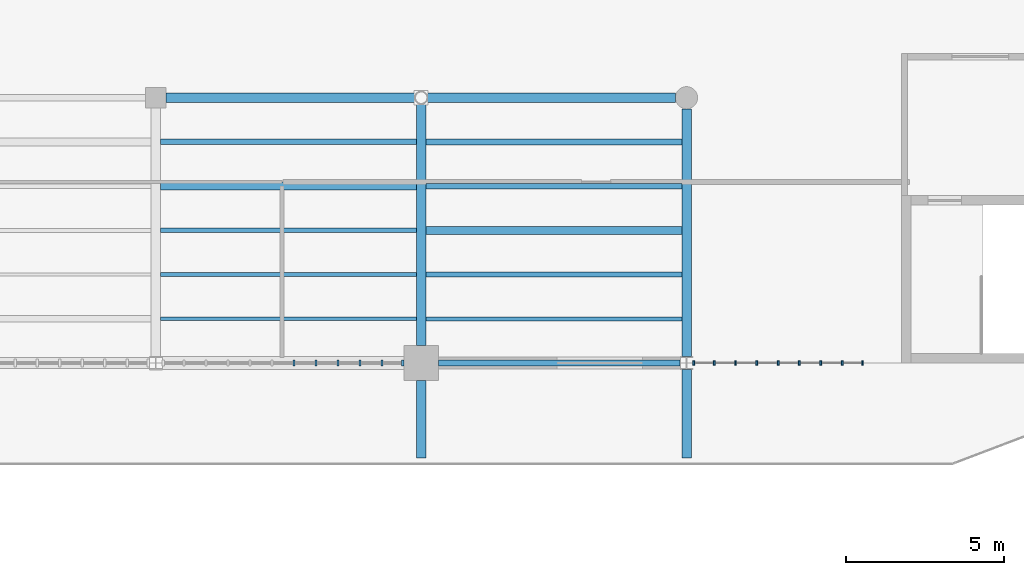
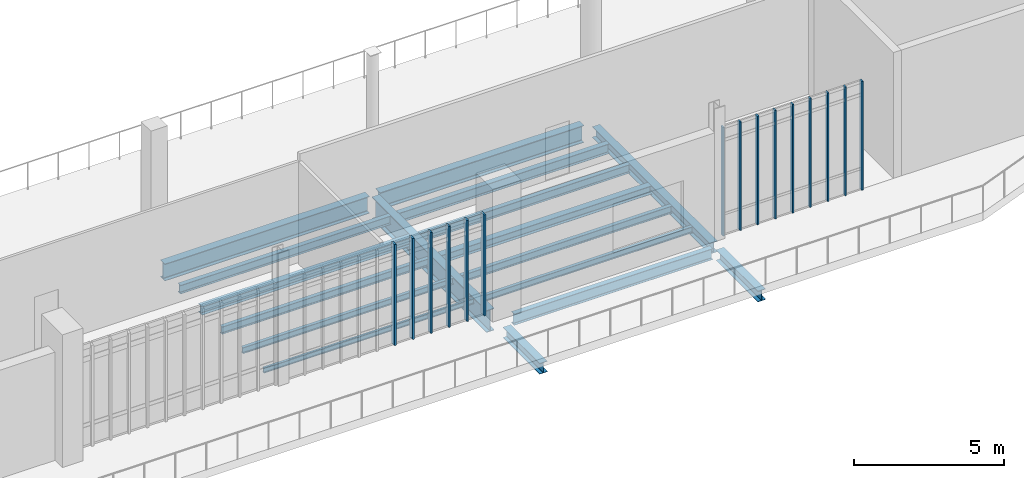
# One storey, part 13 of 135: 17 beams, 15 members, 2 elements without a shape of their own.
"""IFC4 building model written with IfcOpenShell, lengths in metres."""

from ifc_helpers import new_model, si_unit, direction, frame, origin, origin_2d, place, context, subcontext, project, spatial, rectangle, i_section, extrude, material, material_profile, profile_set, type_object, element, aggregate, save


model = new_model("IFC4")

# Units and contexts
model_context = context("Model", 3, precision=1e-05, world=origin(), true_north=direction((0.0, 1.0)))
body_context = subcontext(model_context, "Body", "Model", "MODEL_VIEW")
ifc_project = project(units=[si_unit("LENGTHUNIT", "METRE"), si_unit("AREAUNIT", "SQUARE_METRE"), si_unit("VOLUMEUNIT", "CUBIC_METRE"), si_unit("PLANEANGLEUNIT", "RADIAN"), si_unit("MASSUNIT", "GRAM", prefix="KILO")], contexts=[model_context])

# Site, building, storey
site_placement = place(None, origin())
site = spatial("IfcSite", under=ifc_project, at=site_placement, CompositionType="ELEMENT")
building_placement = place(site_placement, origin())
building = spatial("IfcBuilding", under=site, at=building_placement, Name="Larkvane Passage Sports Hall", CompositionType="ELEMENT")
storey_placement = place(building_placement, frame((0.0, 0.0, 16.800048828125)))
storey = spatial("IfcBuildingStorey", under=building, at=storey_placement, Name="L03", CompositionType="ELEMENT", Elevation=16.800048828125)

# Beams
ifc_material_1 = material(Name="Steel S355JR", Category="steel")
ifc_material_profile_1 = material_profile(ifc_material_1, i_section(OverallWidth=0.300048828125, OverallDepth=0.43994140625, WebThickness=0.010986328125, FlangeThickness=0.01806640625, FilletRadius=0.01806640625, at=origin_2d()), Name="H-440x300x11x18")
ifc_profile_set_1 = profile_set([ifc_material_profile_1], Name="Steel S355JR")
beam_type_1 = type_object("IfcBeamType", Name="BM-STL-H440", PredefinedType="BEAM", material=ifc_profile_set_1)
beam_1_placement = place(storey_placement, frame((76.800048828125, 23.007080078125, -0.56005859375), z_axis=(0.0, 1.0, 0.0), x_axis=(-1.0, 0.0, 0.0)))
element("IfcBeam", 1, at=beam_1_placement, inside=storey, type_object=beam_type_1, Name="Girder BM5-Y-L03-11-1030", PredefinedType="BEAM", context=body_context, shape_type="SweptSolid", body=[
    extrude(i_section(OverallWidth=0.300048828125, OverallDepth=0.43994140625, WebThickness=0.010986328125, FlangeThickness=0.01806640625, FilletRadius=0.01806640625, at=origin_2d()), origin(), (0.0, 0.0, 1.0), 7.843017578125),
])
beam_2_placement = place(storey_placement, frame((68.39990234375, 19.800048828125, -0.56005859375), z_axis=(0.0, 1.0, 0.0), x_axis=(-1.0, 0.0, 0.0)))
element("IfcBeam", 2, at=beam_2_placement, inside=storey, type_object=beam_type_1, Name="South upper court terrace outlook beam 10/D", PredefinedType="BEAM", context=body_context, shape_type="SweptSolid", body=[
    extrude(i_section(OverallWidth=0.300048828125, OverallDepth=0.43994140625, WebThickness=0.010986328125, FlangeThickness=0.01806640625, FilletRadius=0.01806640625, at=origin_2d()), origin(), (0.0, 0.0, 1.0), 2.449951171875),
])
beam_3_placement = place(storey_placement, frame((76.800048828125, 19.800048828125, -0.56005859375), z_axis=(0.0, 1.0, 0.0), x_axis=(-1.0, 0.0, 0.0)))
element("IfcBeam", 3, at=beam_3_placement, inside=storey, type_object=beam_type_1, Name="South upper court terrace outlook beam 11/D", PredefinedType="BEAM", context=body_context, shape_type="SweptSolid", body=[
    extrude(i_section(OverallWidth=0.300048828125, OverallDepth=0.43994140625, WebThickness=0.010986328125, FlangeThickness=0.01806640625, FilletRadius=0.01806640625, at=origin_2d()), origin(), (0.0, 0.0, 1.0), 2.79296875),
])
ifc_material_2 = material(Name="Steel S460N", Category="steel")
ifc_material_profile_2 = material_profile(ifc_material_2, i_section(OverallWidth=0.300048828125, OverallDepth=0.69189453125, WebThickness=0.012939453125, FlangeThickness=0.02001953125, FilletRadius=0.02197265625, at=origin_2d()), Name="H-692x300x13x20")
ifc_profile_set_2 = profile_set([ifc_material_profile_2], Name="Steel S460N")
beam_type_2 = type_object("IfcBeamType", Name="BM-STL-H692", PredefinedType="BEAM", material=ifc_profile_set_2)
beam_4_placement = place(storey_placement, frame((60.324951171875, 31.199951171875, -0.68603515625), z_axis=(1.0, 0.0, 0.0), x_axis=(0.0, 1.0, 0.0)))
element("IfcBeam", 4, at=beam_4_placement, inside=storey, type_object=beam_type_2, Name="Girder BM5-X-L03-E-0983", PredefinedType="BEAM", context=body_context, shape_type="SweptSolid", body=[
    extrude(i_section(OverallWidth=0.300048828125, OverallDepth=0.69189453125, WebThickness=0.012939453125, FlangeThickness=0.02001953125, FilletRadius=0.02197265625, at=origin_2d()), origin(), (0.0, 0.0, 1.0), 7.871826171875),
])
ifc_material_profile_3 = material_profile(ifc_material_2, i_section(OverallWidth=0.300048828125, OverallDepth=0.699951171875, WebThickness=0.012939453125, FlangeThickness=0.02392578125, FilletRadius=0.02197265625, at=origin_2d()), Name="H-700x300x13x24")
ifc_profile_set_3 = profile_set([ifc_material_profile_3], Name="Steel S460N")
beam_type_3 = type_object("IfcBeamType", Name="BM-STL-H700", PredefinedType="BEAM", material=ifc_profile_set_3)
beam_5_placement = place(storey_placement, frame((68.603271484375, 31.199951171875, -0.68994140625), z_axis=(1.0, 0.0, 0.0), x_axis=(0.0, 1.0, 0.0)))
element("IfcBeam", 5, at=beam_5_placement, inside=storey, type_object=beam_type_3, Name="Girder BM5-X-L03-E-0984", PredefinedType="BEAM", context=body_context, shape_type="SweptSolid", body=[
    extrude(i_section(OverallWidth=0.300048828125, OverallDepth=0.699951171875, WebThickness=0.012939453125, FlangeThickness=0.02392578125, FilletRadius=0.02197265625, at=origin_2d()), origin(), (0.0, 0.0, 1.0), 7.8466796875),
])
ifc_material_profile_4 = material_profile(ifc_material_2, i_section(OverallWidth=0.300048828125, OverallDepth=0.89990234375, WebThickness=0.01611328125, FlangeThickness=0.028076171875, FilletRadius=0.02197265625, at=origin_2d()), Name="H-900x300x16x28")
ifc_profile_set_4 = profile_set([ifc_material_profile_4], Name="Steel S460N")
beam_type_4 = type_object("IfcBeamType", Name="BM-STL-H900", PredefinedType="BEAM", material=ifc_profile_set_4)
beam_6_placement = place(storey_placement, frame((68.39990234375, 23.35009765625, -0.7900390625), z_axis=(0.0, 1.0, 0.0), x_axis=(-1.0, 0.0, 0.0)))
element("IfcBeam", 6, at=beam_6_placement, inside=storey, type_object=beam_type_4, Name="Girder BM5-Y-L03-10-1027", PredefinedType="BEAM", context=body_context, shape_type="SweptSolid", body=[
    extrude(i_section(OverallWidth=0.300048828125, OverallDepth=0.89990234375, WebThickness=0.01611328125, FlangeThickness=0.028076171875, FilletRadius=0.02197265625, at=origin_2d()), origin(), (0.0, 0.0, 1.0), 7.646728515625),
])

# Curtain wall, members
ifc_material_3 = material(Name="Thermally broken aluminium and low-E glazing", Category="aluminium")
curtain_wall_type_1 = type_object("IfcCurtainWallType", Name="CW-UNIT-COURT", PredefinedType="USERDEFINED", material=ifc_material_3)
curtain_wall_1_placement = place(storey_placement, origin())
curtain_wall_1 = element("IfcCurtainWall", 7, at=curtain_wall_1_placement, inside=storey, type_object=curtain_wall_type_1, Name="Curtain wall CW5-L03-124", ObjectType="UNITISED CURTAIN WALL", PredefinedType="USERDEFINED")
ifc_material_4 = material(Name="Anodised aluminium 6063-T6", Category="aluminium")
ifc_material_profile_5 = material_profile(ifc_material_4, rectangle(XDim=0.06005859375, YDim=0.14990234375, at=origin_2d()), Name="ALU-MUL-60x150")
ifc_profile_set_5 = profile_set([ifc_material_profile_5], Name="Anodised aluminium 6063-T6")
member_type_1 = type_object("IfcMemberType", Name="CW-MUL-60x150", PredefinedType="MULLION", material=ifc_profile_set_5)
member_1_placement = place(storey_placement, frame((82.3701171875, 22.800048828125, 0.0), z_axis=(0.0, 0.0, 1.0), x_axis=(-1.0, 0.0, 0.0)))
member_1 = element("IfcMember", 8, at=member_1_placement, type_object=member_type_1, Name="CW-01 mullion 1", PredefinedType="MULLION", context=body_context, shape_type="SweptSolid", body=[
    extrude(rectangle(XDim=0.06005859375, YDim=0.14990234375, at=origin_2d()), origin(), (0.0, 0.0, 1.0), 4.419921875),
])
member_2_placement = place(storey_placement, frame((81.724853515625, 22.800048828125, 0.0), z_axis=(0.0, 0.0, 1.0), x_axis=(-1.0, 0.0, 0.0)))
member_2 = element("IfcMember", 9, at=member_2_placement, type_object=member_type_1, Name="CW-01 mullion 2", PredefinedType="MULLION", context=body_context, shape_type="SweptSolid", body=[
    extrude(rectangle(XDim=0.06005859375, YDim=0.14990234375, at=origin_2d()), origin(), (0.0, 0.0, 1.0), 4.419921875),
])
member_3_placement = place(storey_placement, frame((81.049560546875, 22.800048828125, 0.0), z_axis=(0.0, 0.0, 1.0), x_axis=(-1.0, 0.0, 0.0)))
member_3 = element("IfcMember", 10, at=member_3_placement, type_object=member_type_1, Name="CW-01 mullion 3", PredefinedType="MULLION", context=body_context, shape_type="SweptSolid", body=[
    extrude(rectangle(XDim=0.06005859375, YDim=0.14990234375, at=origin_2d()), origin(), (0.0, 0.0, 1.0), 4.419921875),
])
member_4_placement = place(storey_placement, frame((80.37451171875, 22.800048828125, 0.0), z_axis=(0.0, 0.0, 1.0), x_axis=(-1.0, 0.0, 0.0)))
member_4 = element("IfcMember", 11, at=member_4_placement, type_object=member_type_1, Name="CW-01 mullion 4", PredefinedType="MULLION", context=body_context, shape_type="SweptSolid", body=[
    extrude(rectangle(XDim=0.06005859375, YDim=0.14990234375, at=origin_2d()), origin(), (0.0, 0.0, 1.0), 4.419921875),
])
member_5_placement = place(storey_placement, frame((79.69921875, 22.800048828125, 0.0), z_axis=(0.0, 0.0, 1.0), x_axis=(-1.0, 0.0, 0.0)))
member_5 = element("IfcMember", 12, at=member_5_placement, type_object=member_type_1, Name="CW-01 mullion 5", PredefinedType="MULLION", context=body_context, shape_type="SweptSolid", body=[
    extrude(rectangle(XDim=0.06005859375, YDim=0.14990234375, at=origin_2d()), origin(), (0.0, 0.0, 1.0), 4.419921875),
])
member_6_placement = place(storey_placement, frame((79.024169921875, 22.800048828125, 0.0), z_axis=(0.0, 0.0, 1.0), x_axis=(-1.0, 0.0, 0.0)))
member_6 = element("IfcMember", 13, at=member_6_placement, type_object=member_type_1, Name="CW-01 mullion 6", PredefinedType="MULLION", context=body_context, shape_type="SweptSolid", body=[
    extrude(rectangle(XDim=0.06005859375, YDim=0.14990234375, at=origin_2d()), origin(), (0.0, 0.0, 1.0), 4.419921875),
])
member_7_placement = place(storey_placement, frame((78.348876953125, 22.800048828125, 0.0), z_axis=(0.0, 0.0, 1.0), x_axis=(-1.0, 0.0, 0.0)))
member_7 = element("IfcMember", 14, at=member_7_placement, type_object=member_type_1, Name="CW-01 mullion 7", PredefinedType="MULLION", context=body_context, shape_type="SweptSolid", body=[
    extrude(rectangle(XDim=0.06005859375, YDim=0.14990234375, at=origin_2d()), origin(), (0.0, 0.0, 1.0), 4.419921875),
])
member_8_placement = place(storey_placement, frame((77.673583984375, 22.800048828125, 0.0), z_axis=(0.0, 0.0, 1.0), x_axis=(-1.0, 0.0, 0.0)))
member_8 = element("IfcMember", 15, at=member_8_placement, type_object=member_type_1, Name="CW-01 mullion 8", PredefinedType="MULLION", context=body_context, shape_type="SweptSolid", body=[
    extrude(rectangle(XDim=0.06005859375, YDim=0.14990234375, at=origin_2d()), origin(), (0.0, 0.0, 1.0), 4.419921875),
])
member_9_placement = place(storey_placement, frame((77.028564453125, 22.800048828125, 0.0), z_axis=(0.0, 0.0, 1.0), x_axis=(-1.0, 0.0, 0.0)))
member_9 = element("IfcMember", 16, at=member_9_placement, type_object=member_type_1, Name="CW-01 mullion 9", PredefinedType="MULLION", context=body_context, shape_type="SweptSolid", body=[
    extrude(rectangle(XDim=0.06005859375, YDim=0.14990234375, at=origin_2d()), origin(), (0.0, 0.0, 1.0), 4.419921875),
])
aggregate(curtain_wall_1, [member_1, member_2, member_3, member_4, member_5, member_6, member_7, member_8, member_9])

curtain_wall_type_2 = type_object("IfcCurtainWallType", Name="CW-UNIT-VEIL", PredefinedType="USERDEFINED", material=ifc_material_3)
curtain_wall_2_placement = place(storey_placement, origin())
curtain_wall_2 = element("IfcCurtainWall", 17, at=curtain_wall_2_placement, inside=storey, type_object=curtain_wall_type_2, Name="Curtain wall CW5-L03-125", ObjectType="UNITISED CURTAIN WALL", PredefinedType="USERDEFINED")
ifc_material_profile_6 = material_profile(ifc_material_4, rectangle(XDim=0.070068359375, YDim=0.199951171875, at=origin_2d()), Name="ALU-MUL-70x200")
ifc_profile_set_6 = profile_set([ifc_material_profile_6], Name="Anodised aluminium 6063-T6")
member_type_2 = type_object("IfcMemberType", Name="CW-MUL-70x200", PredefinedType="MULLION", material=ifc_profile_set_6)
member_10_placement = place(storey_placement, frame((67.819091796875, 22.800048828125, 0.0), z_axis=(0.0, 0.0, 1.0), x_axis=(-1.0, 0.0, 0.0)))
member_10 = element("IfcMember", 18, at=member_10_placement, type_object=member_type_2, Name="CW-02 mullion 1", PredefinedType="MULLION", context=body_context, shape_type="SweptSolid", body=[
    extrude(rectangle(XDim=0.070068359375, YDim=0.199951171875, at=origin_2d()), origin(), (0.0, 0.0, 1.0), 4.10791015625),
])
member_11_placement = place(storey_placement, frame((67.158203125, 22.800048828125, 0.0), z_axis=(0.0, 0.0, 1.0), x_axis=(-1.0, 0.0, 0.0)))
member_11 = element("IfcMember", 19, at=member_11_placement, type_object=member_type_2, Name="CW-02 mullion 2", PredefinedType="MULLION", context=body_context, shape_type="SweptSolid", body=[
    extrude(rectangle(XDim=0.070068359375, YDim=0.199951171875, at=origin_2d()), origin(), (0.0, 0.0, 1.0), 4.10791015625),
])
member_12_placement = place(storey_placement, frame((66.462158203125, 22.800048828125, 0.0), z_axis=(0.0, 0.0, 1.0), x_axis=(-1.0, 0.0, 0.0)))
member_12 = element("IfcMember", 20, at=member_12_placement, type_object=member_type_2, Name="CW-02 mullion 3", PredefinedType="MULLION", context=body_context, shape_type="SweptSolid", body=[
    extrude(rectangle(XDim=0.070068359375, YDim=0.199951171875, at=origin_2d()), origin(), (0.0, 0.0, 1.0), 4.10791015625),
])
member_13_placement = place(storey_placement, frame((65.766357421875, 22.800048828125, 0.0), z_axis=(0.0, 0.0, 1.0), x_axis=(-1.0, 0.0, 0.0)))
member_13 = element("IfcMember", 21, at=member_13_placement, type_object=member_type_2, Name="CW-02 mullion 4", PredefinedType="MULLION", context=body_context, shape_type="SweptSolid", body=[
    extrude(rectangle(XDim=0.070068359375, YDim=0.199951171875, at=origin_2d()), origin(), (0.0, 0.0, 1.0), 4.10791015625),
])
member_14_placement = place(storey_placement, frame((65.070556640625, 22.800048828125, 0.0), z_axis=(0.0, 0.0, 1.0), x_axis=(-1.0, 0.0, 0.0)))
member_14 = element("IfcMember", 22, at=member_14_placement, type_object=member_type_2, Name="CW-02 mullion 5", PredefinedType="MULLION", context=body_context, shape_type="SweptSolid", body=[
    extrude(rectangle(XDim=0.070068359375, YDim=0.199951171875, at=origin_2d()), origin(), (0.0, 0.0, 1.0), 4.10791015625),
])
member_15_placement = place(storey_placement, frame((64.374755859375, 22.800048828125, 0.0), z_axis=(0.0, 0.0, 1.0), x_axis=(-1.0, 0.0, 0.0)))
member_15 = element("IfcMember", 23, at=member_15_placement, type_object=member_type_2, Name="CW-02 mullion 6", PredefinedType="MULLION", context=body_context, shape_type="SweptSolid", body=[
    extrude(rectangle(XDim=0.070068359375, YDim=0.199951171875, at=origin_2d()), origin(), (0.0, 0.0, 1.0), 4.10791015625),
])
aggregate(curtain_wall_2, [member_10, member_11, member_12, member_13, member_14, member_15])

# Beams
ifc_material_profile_7 = material_profile(ifc_material_1, i_section(OverallWidth=0.10009765625, OverallDepth=0.199951171875, WebThickness=0.005615234375, FlangeThickness=0.008056640625, FilletRadius=0.008056640625, at=origin_2d()), Name="H-200x100x5.5x8")
ifc_profile_set_7 = profile_set([ifc_material_profile_7], Name="Steel S355JR")
beam_type_5 = type_object("IfcBeamType", Name="JST-STL-H200", PredefinedType="JOIST", material=ifc_profile_set_7)
beam_7_placement = place(storey_placement, frame((60.14990234375, 24.199951171875, -0.43994140625), z_axis=(1.0, 0.0, 0.0), x_axis=(0.0, 1.0, 0.0)))
element("IfcBeam", 24, at=beam_7_placement, inside=storey, type_object=beam_type_5, Name="Composite joist L03 9/D-1", PredefinedType="JOIST", context=body_context, shape_type="SweptSolid", body=[
    extrude(i_section(OverallWidth=0.10009765625, OverallDepth=0.199951171875, WebThickness=0.005615234375, FlangeThickness=0.008056640625, FilletRadius=0.008056640625, at=origin_2d()), origin(), (0.0, 0.0, 1.0), 8.10009765625),
])
ifc_material_profile_8 = material_profile(ifc_material_1, i_section(OverallWidth=0.125, OverallDepth=0.25, WebThickness=0.006103515625, FlangeThickness=0.009033203125, FilletRadius=0.008056640625, at=origin_2d()), Name="H-250x125x6x9")
ifc_profile_set_8 = profile_set([ifc_material_profile_8], Name="Steel S355JR")
beam_type_6 = type_object("IfcBeamType", Name="JST-STL-H250", PredefinedType="JOIST", material=ifc_profile_set_8)
beam_8_placement = place(storey_placement, frame((60.14990234375, 25.60009765625, -0.465087890625), z_axis=(1.0, 0.0, 0.0), x_axis=(0.0, 1.0, 0.0)))
element("IfcBeam", 25, at=beam_8_placement, inside=storey, type_object=beam_type_6, Name="Composite joist L03 9/D-2", PredefinedType="JOIST", context=body_context, shape_type="SweptSolid", body=[
    extrude(i_section(OverallWidth=0.125, OverallDepth=0.25, WebThickness=0.006103515625, FlangeThickness=0.009033203125, FilletRadius=0.008056640625, at=origin_2d()), origin(), (0.0, 0.0, 1.0), 8.10009765625),
])
beam_9_placement = place(storey_placement, frame((68.550048828125, 24.199951171875, -0.465087890625), z_axis=(1.0, 0.0, 0.0), x_axis=(0.0, 1.0, 0.0)))
element("IfcBeam", 26, at=beam_9_placement, inside=storey, type_object=beam_type_6, Name="Composite joist L03 10/D-1", PredefinedType="JOIST", context=body_context, shape_type="SweptSolid", body=[
    extrude(i_section(OverallWidth=0.125, OverallDepth=0.25, WebThickness=0.006103515625, FlangeThickness=0.009033203125, FilletRadius=0.008056640625, at=origin_2d()), origin(), (0.0, 0.0, 1.0), 8.099853515625),
])
ifc_material_profile_9 = material_profile(ifc_material_1, i_section(OverallWidth=0.14990234375, OverallDepth=0.300048828125, WebThickness=0.006591796875, FlangeThickness=0.009033203125, FilletRadius=0.012939453125, at=origin_2d()), Name="H-300x150x6.5x9")
ifc_profile_set_9 = profile_set([ifc_material_profile_9], Name="Steel S355JR")
beam_type_7 = type_object("IfcBeamType", Name="JST-STL-H300", PredefinedType="JOIST", material=ifc_profile_set_9)
beam_10_placement = place(storey_placement, frame((60.14990234375, 27.0, -0.489990234375), z_axis=(1.0, 0.0, 0.0), x_axis=(0.0, 1.0, 0.0)))
element("IfcBeam", 27, at=beam_10_placement, inside=storey, type_object=beam_type_7, Name="Composite joist L03 9/D-3", PredefinedType="JOIST", context=body_context, shape_type="SweptSolid", body=[
    extrude(i_section(OverallWidth=0.14990234375, OverallDepth=0.300048828125, WebThickness=0.006591796875, FlangeThickness=0.009033203125, FilletRadius=0.012939453125, at=origin_2d()), origin(), (0.0, 0.0, 1.0), 8.10009765625),
])
beam_11_placement = place(storey_placement, frame((68.550048828125, 25.60009765625, -0.489990234375), z_axis=(1.0, 0.0, 0.0), x_axis=(0.0, 1.0, 0.0)))
element("IfcBeam", 28, at=beam_11_placement, inside=storey, type_object=beam_type_7, Name="Composite joist L03 10/D-2", PredefinedType="JOIST", context=body_context, shape_type="SweptSolid", body=[
    extrude(i_section(OverallWidth=0.14990234375, OverallDepth=0.300048828125, WebThickness=0.006591796875, FlangeThickness=0.009033203125, FilletRadius=0.012939453125, at=origin_2d()), origin(), (0.0, 0.0, 1.0), 8.099853515625),
])
ifc_material_profile_10 = material_profile(ifc_material_1, i_section(OverallWidth=0.25, OverallDepth=0.340087890625, WebThickness=0.009033203125, FlangeThickness=0.013916015625, FilletRadius=0.012939453125, at=origin_2d()), Name="H-340x250x9x14")
ifc_profile_set_10 = profile_set([ifc_material_profile_10], Name="Steel S355JR")
beam_type_8 = type_object("IfcBeamType", Name="JST-STL-H340", PredefinedType="JOIST", material=ifc_profile_set_10)
beam_12_placement = place(storey_placement, frame((60.14990234375, 28.39990234375, -0.510009765625), z_axis=(1.0, 0.0, 0.0), x_axis=(0.0, 1.0, 0.0)))
element("IfcBeam", 29, at=beam_12_placement, inside=storey, type_object=beam_type_8, Name="Composite joist L03 9/D-4", PredefinedType="JOIST", context=body_context, shape_type="SweptSolid", body=[
    extrude(i_section(OverallWidth=0.25, OverallDepth=0.340087890625, WebThickness=0.009033203125, FlangeThickness=0.013916015625, FilletRadius=0.012939453125, at=origin_2d()), origin(), (0.0, 0.0, 1.0), 8.10009765625),
])
beam_13_placement = place(storey_placement, frame((68.550048828125, 27.0, -0.510009765625), z_axis=(1.0, 0.0, 0.0), x_axis=(0.0, 1.0, 0.0)))
element("IfcBeam", 30, at=beam_13_placement, inside=storey, type_object=beam_type_8, Name="Composite joist L03 10/D-3", PredefinedType="JOIST", context=body_context, shape_type="SweptSolid", body=[
    extrude(i_section(OverallWidth=0.25, OverallDepth=0.340087890625, WebThickness=0.009033203125, FlangeThickness=0.013916015625, FilletRadius=0.012939453125, at=origin_2d()), origin(), (0.0, 0.0, 1.0), 8.099853515625),
])
ifc_material_profile_11 = material_profile(ifc_material_1, i_section(OverallWidth=0.175048828125, OverallDepth=0.35009765625, WebThickness=0.007080078125, FlangeThickness=0.010986328125, FilletRadius=0.012939453125, at=origin_2d()), Name="H-350x175x7x11")
ifc_profile_set_11 = profile_set([ifc_material_profile_11], Name="Steel S355JR")
beam_type_9 = type_object("IfcBeamType", Name="JST-STL-H350", PredefinedType="JOIST", material=ifc_profile_set_11)
beam_14_placement = place(storey_placement, frame((60.14990234375, 29.800048828125, -0.51513671875), z_axis=(1.0, 0.0, 0.0), x_axis=(0.0, 1.0, 0.0)))
element("IfcBeam", 31, at=beam_14_placement, inside=storey, type_object=beam_type_9, Name="Composite joist L03 9/D-5", PredefinedType="JOIST", context=body_context, shape_type="SweptSolid", body=[
    extrude(i_section(OverallWidth=0.175048828125, OverallDepth=0.35009765625, WebThickness=0.007080078125, FlangeThickness=0.010986328125, FilletRadius=0.012939453125, at=origin_2d()), origin(), (0.0, 0.0, 1.0), 8.10009765625),
])
beam_15_placement = place(storey_placement, frame((68.550048828125, 28.39990234375, -0.51513671875), z_axis=(1.0, 0.0, 0.0), x_axis=(0.0, 1.0, 0.0)))
element("IfcBeam", 32, at=beam_15_placement, inside=storey, type_object=beam_type_9, Name="Composite joist L03 10/D-4", PredefinedType="JOIST", context=body_context, shape_type="SweptSolid", body=[
    extrude(i_section(OverallWidth=0.175048828125, OverallDepth=0.35009765625, WebThickness=0.007080078125, FlangeThickness=0.010986328125, FilletRadius=0.012939453125, at=origin_2d()), origin(), (0.0, 0.0, 1.0), 8.099853515625),
])
ifc_material_profile_12 = material_profile(ifc_material_1, i_section(OverallWidth=0.199951171875, OverallDepth=0.39990234375, WebThickness=0.008056640625, FlangeThickness=0.012939453125, FilletRadius=0.012939453125, at=origin_2d()), Name="H-400x200x8x13")
ifc_profile_set_12 = profile_set([ifc_material_profile_12], Name="Steel S355JR")
beam_type_10 = type_object("IfcBeamType", Name="JST-STL-H400", PredefinedType="JOIST", material=ifc_profile_set_12)
beam_16_placement = place(storey_placement, frame((68.550048828125, 29.800048828125, -0.5400390625), z_axis=(1.0, 0.0, 0.0), x_axis=(0.0, 1.0, 0.0)))
element("IfcBeam", 33, at=beam_16_placement, inside=storey, type_object=beam_type_10, Name="Composite joist L03 10/D-5", PredefinedType="JOIST", context=body_context, shape_type="SweptSolid", body=[
    extrude(i_section(OverallWidth=0.199951171875, OverallDepth=0.39990234375, WebThickness=0.008056640625, FlangeThickness=0.012939453125, FilletRadius=0.012939453125, at=origin_2d()), origin(), (0.0, 0.0, 1.0), 8.099853515625),
])
ifc_material_profile_13 = material_profile(ifc_material_1, i_section(OverallWidth=0.199951171875, OverallDepth=0.449951171875, WebThickness=0.009033203125, FlangeThickness=0.013916015625, FilletRadius=0.01806640625, at=origin_2d()), Name="H-450x200x9x14")
ifc_profile_set_13 = profile_set([ifc_material_profile_13], Name="Steel S355JR")
beam_type_11 = type_object("IfcBeamType", Name="SP-STL-H450", PredefinedType="SPANDREL", material=ifc_profile_set_13)
beam_17_placement = place(storey_placement, frame((68.949951171875, 22.800048828125, -0.56494140625), z_axis=(1.0, 0.0, 0.0), x_axis=(0.0, 1.0, 0.0)))
element("IfcBeam", 34, at=beam_17_placement, inside=storey, type_object=beam_type_11, Name="Girder BM5-X-L03-D-0979", PredefinedType="SPANDREL", context=body_context, shape_type="SweptSolid", body=[
    extrude(i_section(OverallWidth=0.199951171875, OverallDepth=0.449951171875, WebThickness=0.009033203125, FlangeThickness=0.013916015625, FilletRadius=0.01806640625, at=origin_2d()), origin(), (0.0, 0.0, 1.0), 7.6474609375),
])

save(model, "model.ifc")
